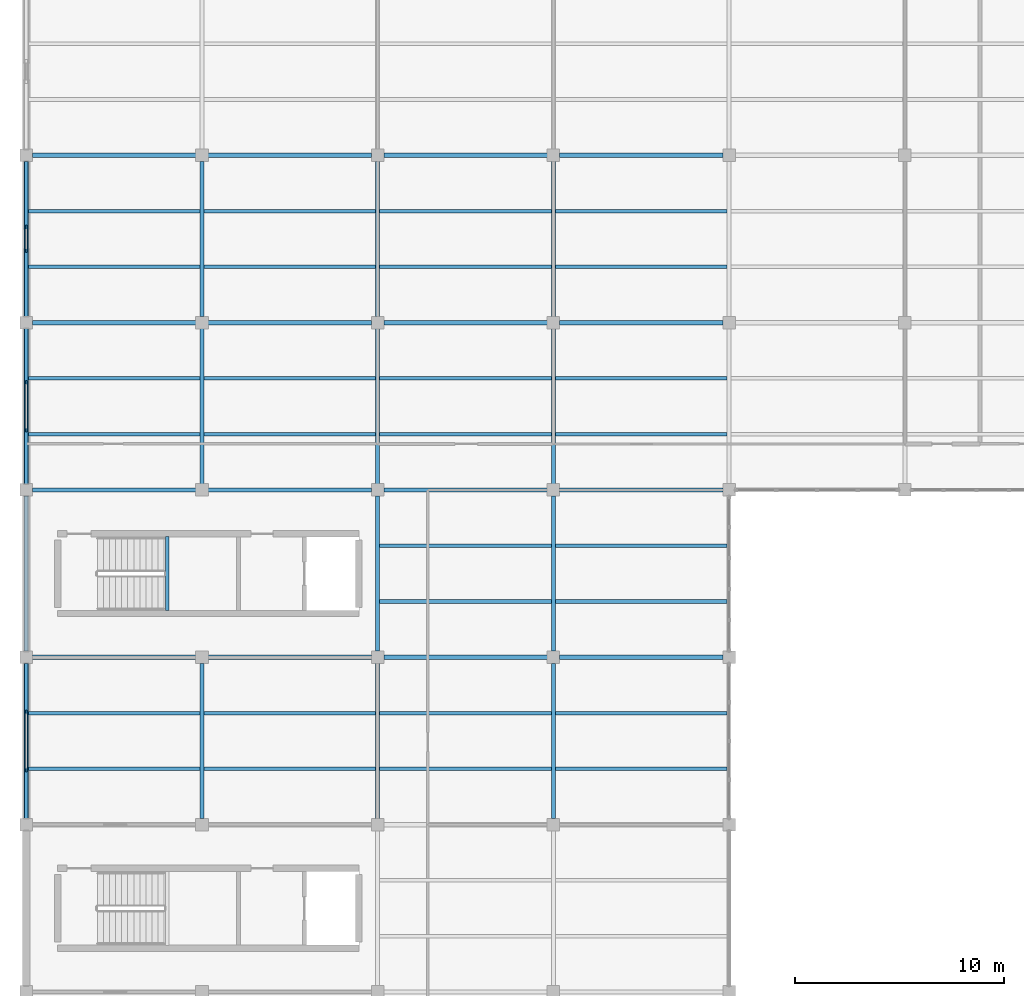
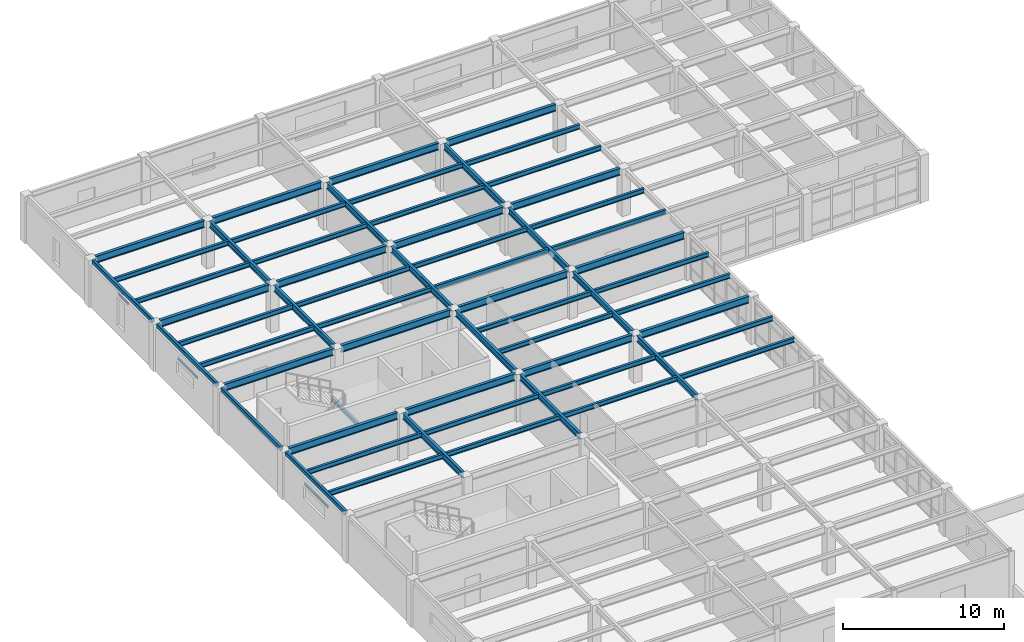
# One storey, part 22 of 96: 63 beams.
"""IFC4 building model written with IfcOpenShell, lengths in metres."""

from ifc_helpers import new_model, si_unit, direction, frame, origin, origin_2d, place, context, subcontext, project, spatial, hollow_rectangle, i_section, u_section, extrude, material, material_profile, profile_set, type_object, element, save


model = new_model("IFC4")

# Units and contexts
model_context = context("Model", 3, precision=1e-05, world=origin(), true_north=direction((0.0, 1.0)))
body_context = subcontext(model_context, "Body", "Model", "MODEL_VIEW")
ifc_project = project(units=[si_unit("LENGTHUNIT", "METRE"), si_unit("AREAUNIT", "SQUARE_METRE"), si_unit("VOLUMEUNIT", "CUBIC_METRE"), si_unit("PLANEANGLEUNIT", "RADIAN"), si_unit("MASSUNIT", "GRAM", prefix="KILO")], contexts=[model_context])

# Site, building, storey
site_placement = place(None, origin())
site = spatial("IfcSite", under=ifc_project, at=site_placement, CompositionType="ELEMENT")
building_placement = place(site_placement, origin())
building = spatial("IfcBuilding", under=site, at=building_placement, Name="Kranzveld Transit Interchange", CompositionType="ELEMENT")
storey_placement = place(building_placement, frame((0.0, 0.0, 9.52001953125)))
storey = spatial("IfcBuildingStorey", under=building, at=storey_placement, Name="L02", CompositionType="ELEMENT", Elevation=9.52001953125)

# Beams
ifc_material_1 = material(Name="Steel S355JR", Category="steel")
ifc_material_profile_1 = material_profile(ifc_material_1, i_section(OverallWidth=0.19189453125, OverallDepth=0.46337890625, WebThickness=0.010498046875, FlangeThickness=0.017578125, FilletRadius=0.01025390625, at=origin_2d()), Name="UB 457x191x89")
ifc_profile_set_1 = profile_set([ifc_material_profile_1], Name="Steel S355JR")
beam_type_1 = type_object("IfcBeamType", Name="Beam Steel UB 457x191x89 S355JR", PredefinedType="BEAM", material=ifc_profile_set_1)
for number, where, z_axis, x_axis, name in (
    (1, (8.39990234375, 72.2900390625, 3.33837890625), (0.0, 1.0, 0.0), (-1.0, 0.0, 0.0), "L02 Girder 02/K-L"),
    (2, (8.39990234375, 88.2900390625, 3.33837890625), (0.0, 1.0, 0.0), (-1.0, 0.0, 0.0), "L02 Girder 02/M-N"),
    (3, (8.39990234375, 96.2900390625, 3.33837890625), (0.0, 1.0, 0.0), (-1.0, 0.0, 0.0), "L02 Girder 02/N-P"),
    (4, (16.800048828125, 72.2900390625, 3.33837890625), (0.0, 1.0, 0.0), (-1.0, 0.0, 0.0), "L02 Girder 03/K-L"),
    (5, (16.800048828125, 80.2900390625, 3.33837890625), (0.0, 1.0, 0.0), (-1.0, 0.0, 0.0), "L02 Girder 03/L-M"),
    (6, (16.800048828125, 88.2900390625, 3.33837890625), (0.0, 1.0, 0.0), (-1.0, 0.0, 0.0), "L02 Girder 03/M-N"),
    (7, (16.800048828125, 96.2900390625, 3.33837890625), (0.0, 1.0, 0.0), (-1.0, 0.0, 0.0), "L02 Girder 03/N-P"),
    (8, (25.199951171875, 72.2900390625, 3.33837890625), (0.0, 1.0, 0.0), (-1.0, 0.0, 0.0), "L02 Girder 04/K-L"),
    (9, (25.199951171875, 80.2900390625, 3.33837890625), (0.0, 1.0, 0.0), (-1.0, 0.0, 0.0), "L02 Girder 04/L-M"),
    (10, (25.199951171875, 88.2900390625, 3.33837890625), (0.0, 1.0, 0.0), (-1.0, 0.0, 0.0), "L02 Girder 04/M-N"),
    (11, (25.199951171875, 96.2900390625, 3.33837890625), (0.0, 1.0, 0.0), (-1.0, 0.0, 0.0), "L02 Girder 04/N-P"),
):
    element("IfcBeam", number, at=place(storey_placement, frame(where, z_axis=z_axis, x_axis=x_axis)), inside=storey, type_object=beam_type_1, Name=name, PredefinedType="BEAM", context=body_context, shape_type="SweptSolid", body=[
        extrude(i_section(OverallWidth=0.19189453125, OverallDepth=0.46337890625, WebThickness=0.010498046875, FlangeThickness=0.017578125, FilletRadius=0.01025390625, at=origin_2d()), origin(), (0.0, 0.0, 1.0), 7.419921875),
    ])
ifc_material_2 = material(Name="Steel S355JR", Category="steel")
ifc_material_profile_2 = material_profile(ifc_material_2, hollow_rectangle(XDim=0.199951171875, YDim=0.300048828125, WallThickness=0.010009765625, InnerFilletRadius=0.014892578125, OuterFilletRadius=0.02490234375, at=origin_2d()), Name="RHS 300x200x10")
ifc_profile_set_2 = profile_set([ifc_material_profile_2], Name="Steel S355JR")
beam_type_2 = type_object("IfcBeamType", Name="Edge Spandrel RHS 300x200x10 S355JR", PredefinedType="SPANDREL", material=ifc_profile_set_2)
for number, where, z_axis, x_axis, name in (
    (12, (0.0, 72.2900390625, 3.419921875), (0.0, 1.0, 0.0), (-1.0, 0.0, 0.0), "L02 Girder 01/K-L"),
    (13, (0.0, 80.2900390625, 3.419921875), (0.0, 1.0, 0.0), (-1.0, 0.0, 0.0), "L02 Girder 01/L-M"),
    (14, (0.0, 88.2900390625, 3.419921875), (0.0, 1.0, 0.0), (-1.0, 0.0, 0.0), "L02 Girder 01/M-N"),
    (15, (0.0, 96.2900390625, 3.419921875), (0.0, 1.0, 0.0), (-1.0, 0.0, 0.0), "L02 Girder 01/N-P"),
):
    element("IfcBeam", number, at=place(storey_placement, frame(where, z_axis=z_axis, x_axis=x_axis)), inside=storey, type_object=beam_type_2, Name=name, PredefinedType="SPANDREL", context=body_context, shape_type="SweptSolid", body=[
        extrude(hollow_rectangle(XDim=0.199951171875, YDim=0.300048828125, WallThickness=0.010009765625, InnerFilletRadius=0.014892578125, OuterFilletRadius=0.02490234375, at=origin_2d()), origin(), (0.0, 0.0, 1.0), 7.419921875),
    ])
ifc_material_3 = material(Name="Steel S355JR", Category="steel")
ifc_material_profile_3 = material_profile(ifc_material_3, i_section(OverallWidth=0.171142578125, OverallDepth=0.351318359375, WebThickness=0.007080078125, FlangeThickness=0.009765625, FilletRadius=0.01025390625, at=origin_2d()), Name="UB 356x171x45")
ifc_profile_set_3 = profile_set([ifc_material_profile_3], Name="Steel S355JR")
beam_type_3 = type_object("IfcBeamType", Name="Floor Joist UB 356x171x45 S355JR", PredefinedType="JOIST", material=ifc_profile_set_3)
for number, where, z_axis, x_axis, name in (
    (16, (0.10205078125, 74.666748046875, 3.394287109375), (1.0, 0.0, 0.0), (0.0, 1.0, 0.0), "L02 Secondary Joist 01-02/K.1"),
    (17, (0.10205078125, 77.333251953125, 3.394287109375), (1.0, 0.0, 0.0), (0.0, 1.0, 0.0), "L02 Secondary Joist 01-02/K.2"),
    (18, (0.10205078125, 90.666748046875, 3.394287109375), (1.0, 0.0, 0.0), (0.0, 1.0, 0.0), "L02 Secondary Joist 01-02/M.1"),
    (19, (0.10205078125, 93.333251953125, 3.394287109375), (1.0, 0.0, 0.0), (0.0, 1.0, 0.0), "L02 Secondary Joist 01-02/M.2"),
    (20, (0.10205078125, 98.666748046875, 3.394287109375), (1.0, 0.0, 0.0), (0.0, 1.0, 0.0), "L02 Secondary Joist 01-02/N.1"),
    (21, (0.10205078125, 101.333251953125, 3.394287109375), (1.0, 0.0, 0.0), (0.0, 1.0, 0.0), "L02 Secondary Joist 01-02/N.2"),
):
    element("IfcBeam", number, at=place(storey_placement, frame(where, z_axis=z_axis, x_axis=x_axis)), inside=storey, type_object=beam_type_3, Name=name, PredefinedType="JOIST", context=body_context, shape_type="SweptSolid", body=[
        extrude(i_section(OverallWidth=0.171142578125, OverallDepth=0.351318359375, WebThickness=0.007080078125, FlangeThickness=0.009765625, FilletRadius=0.01025390625, at=origin_2d()), origin(), (0.0, 0.0, 1.0), 8.199951171875),
    ])
for number, where, z_axis, x_axis, name in (
    (22, (8.498046875, 74.666748046875, 3.394287109375), (1.0, 0.0, 0.0), (0.0, 1.0, 0.0), "L02 Secondary Joist 02-03/K.1"),
    (23, (8.498046875, 77.333251953125, 3.394287109375), (1.0, 0.0, 0.0), (0.0, 1.0, 0.0), "L02 Secondary Joist 02-03/K.2"),
    (24, (8.498046875, 90.666748046875, 3.394287109375), (1.0, 0.0, 0.0), (0.0, 1.0, 0.0), "L02 Secondary Joist 02-03/M.1"),
    (25, (8.498046875, 93.333251953125, 3.394287109375), (1.0, 0.0, 0.0), (0.0, 1.0, 0.0), "L02 Secondary Joist 02-03/M.2"),
    (26, (8.498046875, 98.666748046875, 3.394287109375), (1.0, 0.0, 0.0), (0.0, 1.0, 0.0), "L02 Secondary Joist 02-03/N.1"),
    (27, (8.498046875, 101.333251953125, 3.394287109375), (1.0, 0.0, 0.0), (0.0, 1.0, 0.0), "L02 Secondary Joist 02-03/N.2"),
    (28, (16.89794921875, 74.666748046875, 3.394287109375), (1.0, 0.0, 0.0), (0.0, 1.0, 0.0), "L02 Secondary Joist 03-04/K.1"),
    (29, (16.89794921875, 77.333251953125, 3.394287109375), (1.0, 0.0, 0.0), (0.0, 1.0, 0.0), "L02 Secondary Joist 03-04/K.2"),
    (30, (16.89794921875, 82.666748046875, 3.394287109375), (1.0, 0.0, 0.0), (0.0, 1.0, 0.0), "L02 Secondary Joist 03-04/L.1"),
    (31, (16.89794921875, 85.333251953125, 3.394287109375), (1.0, 0.0, 0.0), (0.0, 1.0, 0.0), "L02 Secondary Joist 03-04/L.2"),
    (32, (16.89794921875, 90.666748046875, 3.394287109375), (1.0, 0.0, 0.0), (0.0, 1.0, 0.0), "L02 Secondary Joist 03-04/M.1"),
    (33, (16.89794921875, 93.333251953125, 3.394287109375), (1.0, 0.0, 0.0), (0.0, 1.0, 0.0), "L02 Secondary Joist 03-04/M.2"),
    (34, (16.89794921875, 98.666748046875, 3.394287109375), (1.0, 0.0, 0.0), (0.0, 1.0, 0.0), "L02 Secondary Joist 03-04/N.1"),
    (35, (16.89794921875, 101.333251953125, 3.394287109375), (1.0, 0.0, 0.0), (0.0, 1.0, 0.0), "L02 Secondary Joist 03-04/N.2"),
):
    element("IfcBeam", number, at=place(storey_placement, frame(where, z_axis=z_axis, x_axis=x_axis)), inside=storey, type_object=beam_type_3, Name=name, PredefinedType="JOIST", context=body_context, shape_type="SweptSolid", body=[
        extrude(i_section(OverallWidth=0.171142578125, OverallDepth=0.351318359375, WebThickness=0.007080078125, FlangeThickness=0.009765625, FilletRadius=0.01025390625, at=origin_2d()), origin(), (0.0, 0.0, 1.0), 8.2041015625),
    ])
for number, where, z_axis, x_axis, name in (
    (36, (25.2978515625, 74.666748046875, 3.394287109375), (1.0, 0.0, 0.0), (0.0, 1.0, 0.0), "L02 Secondary Joist 04-05/K.1"),
    (37, (25.2978515625, 77.333251953125, 3.394287109375), (1.0, 0.0, 0.0), (0.0, 1.0, 0.0), "L02 Secondary Joist 04-05/K.2"),
    (38, (25.2978515625, 82.666748046875, 3.394287109375), (1.0, 0.0, 0.0), (0.0, 1.0, 0.0), "L02 Secondary Joist 04-05/L.1"),
    (39, (25.2978515625, 85.333251953125, 3.394287109375), (1.0, 0.0, 0.0), (0.0, 1.0, 0.0), "L02 Secondary Joist 04-05/L.2"),
):
    element("IfcBeam", number, at=place(storey_placement, frame(where, z_axis=z_axis, x_axis=x_axis)), inside=storey, type_object=beam_type_3, Name=name, PredefinedType="JOIST", context=body_context, shape_type="SweptSolid", body=[
        extrude(i_section(OverallWidth=0.171142578125, OverallDepth=0.351318359375, WebThickness=0.007080078125, FlangeThickness=0.009765625, FilletRadius=0.01025390625, at=origin_2d()), origin(), (0.0, 0.0, 1.0), 8.2001953125),
    ])
for number, where, z_axis, x_axis, name in (
    (40, (25.2978515625, 90.666748046875, 3.394287109375), (1.0, 0.0, 0.0), (0.0, 1.0, 0.0), "L02 Secondary Joist 04-05/M.1"),
    (41, (25.2978515625, 93.333251953125, 3.394287109375), (1.0, 0.0, 0.0), (0.0, 1.0, 0.0), "L02 Secondary Joist 04-05/M.2"),
    (42, (25.2978515625, 98.666748046875, 3.394287109375), (1.0, 0.0, 0.0), (0.0, 1.0, 0.0), "L02 Secondary Joist 04-05/N.1"),
    (43, (25.2978515625, 101.333251953125, 3.394287109375), (1.0, 0.0, 0.0), (0.0, 1.0, 0.0), "L02 Secondary Joist 04-05/N.2"),
):
    element("IfcBeam", number, at=place(storey_placement, frame(where, z_axis=z_axis, x_axis=x_axis)), inside=storey, type_object=beam_type_3, Name=name, PredefinedType="JOIST", context=body_context, shape_type="SweptSolid", body=[
        extrude(i_section(OverallWidth=0.171142578125, OverallDepth=0.351318359375, WebThickness=0.007080078125, FlangeThickness=0.009765625, FilletRadius=0.01025390625, at=origin_2d()), origin(), (0.0, 0.0, 1.0), 8.2041015625),
    ])
ifc_material_4 = material(Name="Steel S355JR", Category="steel")
ifc_material_profile_4 = material_profile(ifc_material_4, i_section(OverallWidth=0.209228515625, OverallDepth=0.533203125, WebThickness=0.010009765625, FlangeThickness=0.015625, FilletRadius=0.0126953125, at=origin_2d()), Name="UB 533x210x92")
ifc_profile_set_4 = profile_set([ifc_material_profile_4], Name="Steel S355JR")
beam_type_4 = type_object("IfcBeamType", Name="Girder Steel UB 533x210x92 S355JR", PredefinedType="BEAM", material=ifc_profile_set_4)
for number, where, z_axis, x_axis, name in (
    (44, (0.2900390625, 80.0, 3.303466796875), (1.0, 0.0, 0.0), (0.0, 1.0, 0.0), "L02 Girder 01-02/L"),
    (45, (8.68994140625, 80.0, 3.303466796875), (1.0, 0.0, 0.0), (0.0, 1.0, 0.0), "L02 Girder 02-03/L"),
):
    element("IfcBeam", number, at=place(storey_placement, frame(where, z_axis=z_axis, x_axis=x_axis)), inside=storey, type_object=beam_type_4, Name=name, PredefinedType="BEAM", context=body_context, shape_type="SweptSolid", body=[
        extrude(i_section(OverallWidth=0.209228515625, OverallDepth=0.533203125, WebThickness=0.010009765625, FlangeThickness=0.015625, FilletRadius=0.0126953125, at=origin_2d()), origin(), (0.0, 0.0, 1.0), 7.820068359375),
    ])
beam_1_placement = place(storey_placement, frame((17.090087890625, 80.0, 3.303466796875), z_axis=(1.0, 0.0, 0.0), x_axis=(0.0, 1.0, 0.0)))
element("IfcBeam", 46, at=beam_1_placement, inside=storey, type_object=beam_type_4, Name="L02 Girder 03-04/L", PredefinedType="BEAM", context=body_context, shape_type="SweptSolid", body=[
    extrude(i_section(OverallWidth=0.209228515625, OverallDepth=0.533203125, WebThickness=0.010009765625, FlangeThickness=0.015625, FilletRadius=0.0126953125, at=origin_2d()), origin(), (0.0, 0.0, 1.0), 7.81982421875),
])
for number, where, z_axis, x_axis, name in (
    (47, (25.489990234375, 80.0, 3.303466796875), (1.0, 0.0, 0.0), (0.0, 1.0, 0.0), "L02 Girder 04-05/L"),
    (48, (0.2900390625, 88.0, 3.303466796875), (1.0, 0.0, 0.0), (0.0, 1.0, 0.0), "L02 Girder 01-02/M"),
    (49, (8.68994140625, 88.0, 3.303466796875), (1.0, 0.0, 0.0), (0.0, 1.0, 0.0), "L02 Girder 02-03/M"),
):
    element("IfcBeam", number, at=place(storey_placement, frame(where, z_axis=z_axis, x_axis=x_axis)), inside=storey, type_object=beam_type_4, Name=name, PredefinedType="BEAM", context=body_context, shape_type="SweptSolid", body=[
        extrude(i_section(OverallWidth=0.209228515625, OverallDepth=0.533203125, WebThickness=0.010009765625, FlangeThickness=0.015625, FilletRadius=0.0126953125, at=origin_2d()), origin(), (0.0, 0.0, 1.0), 7.820068359375),
    ])
beam_2_placement = place(storey_placement, frame((17.090087890625, 88.0, 3.303466796875), z_axis=(1.0, 0.0, 0.0), x_axis=(0.0, 1.0, 0.0)))
element("IfcBeam", 50, at=beam_2_placement, inside=storey, type_object=beam_type_4, Name="L02 Girder 03-04/M", PredefinedType="BEAM", context=body_context, shape_type="SweptSolid", body=[
    extrude(i_section(OverallWidth=0.209228515625, OverallDepth=0.533203125, WebThickness=0.010009765625, FlangeThickness=0.015625, FilletRadius=0.0126953125, at=origin_2d()), origin(), (0.0, 0.0, 1.0), 7.81982421875),
])
for number, where, z_axis, x_axis, name in (
    (51, (25.489990234375, 88.0, 3.303466796875), (1.0, 0.0, 0.0), (0.0, 1.0, 0.0), "L02 Girder 04-05/M"),
    (52, (0.2900390625, 96.0, 3.303466796875), (1.0, 0.0, 0.0), (0.0, 1.0, 0.0), "L02 Girder 01-02/N"),
    (53, (8.68994140625, 96.0, 3.303466796875), (1.0, 0.0, 0.0), (0.0, 1.0, 0.0), "L02 Girder 02-03/N"),
):
    element("IfcBeam", number, at=place(storey_placement, frame(where, z_axis=z_axis, x_axis=x_axis)), inside=storey, type_object=beam_type_4, Name=name, PredefinedType="BEAM", context=body_context, shape_type="SweptSolid", body=[
        extrude(i_section(OverallWidth=0.209228515625, OverallDepth=0.533203125, WebThickness=0.010009765625, FlangeThickness=0.015625, FilletRadius=0.0126953125, at=origin_2d()), origin(), (0.0, 0.0, 1.0), 7.820068359375),
    ])
beam_3_placement = place(storey_placement, frame((17.090087890625, 96.0, 3.303466796875), z_axis=(1.0, 0.0, 0.0), x_axis=(0.0, 1.0, 0.0)))
element("IfcBeam", 54, at=beam_3_placement, inside=storey, type_object=beam_type_4, Name="L02 Girder 03-04/N", PredefinedType="BEAM", context=body_context, shape_type="SweptSolid", body=[
    extrude(i_section(OverallWidth=0.209228515625, OverallDepth=0.533203125, WebThickness=0.010009765625, FlangeThickness=0.015625, FilletRadius=0.0126953125, at=origin_2d()), origin(), (0.0, 0.0, 1.0), 7.81982421875),
])
for number, where, z_axis, x_axis, name in (
    (55, (25.489990234375, 96.0, 3.303466796875), (1.0, 0.0, 0.0), (0.0, 1.0, 0.0), "L02 Girder 04-05/N"),
    (56, (0.2900390625, 104.0, 3.303466796875), (1.0, 0.0, 0.0), (0.0, 1.0, 0.0), "L02 Girder 01-02/P"),
    (57, (8.68994140625, 104.0, 3.303466796875), (1.0, 0.0, 0.0), (0.0, 1.0, 0.0), "L02 Girder 02-03/P"),
):
    element("IfcBeam", number, at=place(storey_placement, frame(where, z_axis=z_axis, x_axis=x_axis)), inside=storey, type_object=beam_type_4, Name=name, PredefinedType="BEAM", context=body_context, shape_type="SweptSolid", body=[
        extrude(i_section(OverallWidth=0.209228515625, OverallDepth=0.533203125, WebThickness=0.010009765625, FlangeThickness=0.015625, FilletRadius=0.0126953125, at=origin_2d()), origin(), (0.0, 0.0, 1.0), 7.820068359375),
    ])
beam_4_placement = place(storey_placement, frame((17.090087890625, 104.0, 3.303466796875), z_axis=(1.0, 0.0, 0.0), x_axis=(0.0, 1.0, 0.0)))
element("IfcBeam", 58, at=beam_4_placement, inside=storey, type_object=beam_type_4, Name="L02 Girder 03-04/P", PredefinedType="BEAM", context=body_context, shape_type="SweptSolid", body=[
    extrude(i_section(OverallWidth=0.209228515625, OverallDepth=0.533203125, WebThickness=0.010009765625, FlangeThickness=0.015625, FilletRadius=0.0126953125, at=origin_2d()), origin(), (0.0, 0.0, 1.0), 7.81982421875),
])
beam_5_placement = place(storey_placement, frame((25.489990234375, 104.0, 3.303466796875), z_axis=(1.0, 0.0, 0.0), x_axis=(0.0, 1.0, 0.0)))
element("IfcBeam", 59, at=beam_5_placement, inside=storey, type_object=beam_type_4, Name="L02 Girder 04-05/P", PredefinedType="BEAM", context=body_context, shape_type="SweptSolid", body=[
    extrude(i_section(OverallWidth=0.209228515625, OverallDepth=0.533203125, WebThickness=0.010009765625, FlangeThickness=0.015625, FilletRadius=0.0126953125, at=origin_2d()), origin(), (0.0, 0.0, 1.0), 7.820068359375),
])
ifc_material_5 = material(Name="Steel S355JR", Category="steel")
ifc_material_profile_5 = material_profile(ifc_material_5, u_section(Depth=0.179931640625, FlangeWidth=0.070068359375, WebThickness=0.007080078125, FlangeThickness=0.010986328125, FilletRadius=0.010009765625, at=origin_2d()), Name="PFC 180x70x22")
ifc_profile_set_5 = profile_set([ifc_material_profile_5], Name="Steel S355JR")
beam_type_5 = type_object("IfcBeamType", Name="Masonry Lintel PFC 180x70x22 S355JR", PredefinedType="LINTEL", material=ifc_profile_set_5)
beam_6_placement = place(storey_placement, frame((0.0, 99.344970703125, 2.844970703125), z_axis=(0.0, 1.0, 0.0), x_axis=(-1.0, 0.0, 0.0)))
element("IfcBeam", 60, at=beam_6_placement, inside=storey, type_object=beam_type_5, Name="L02 Window Lintel 157", PredefinedType="LINTEL", context=body_context, shape_type="SweptSolid", body=[
    extrude(u_section(Depth=0.179931640625, FlangeWidth=0.070068359375, WebThickness=0.007080078125, FlangeThickness=0.010986328125, FilletRadius=0.010009765625, at=origin_2d()), origin(), (0.0, 0.0, 1.0), 1.31005859375),
])
ifc_material_6 = material(Name="Steel S355JR", Category="steel")
ifc_material_profile_6 = material_profile(ifc_material_6, u_section(Depth=0.199951171875, FlangeWidth=0.074951171875, WebThickness=0.006103515625, FlangeThickness=0.012451171875, FilletRadius=0.011962890625, at=origin_2d()), Name="PFC 200x75x23")
ifc_profile_set_6 = profile_set([ifc_material_profile_6], Name="Steel S355JR")
beam_type_6 = type_object("IfcBeamType", Name="Masonry Lintel PFC 200x75x23 S355JR", PredefinedType="LINTEL", material=ifc_profile_set_6)
beam_7_placement = place(storey_placement, frame((0.0, 90.77001953125, 2.455078125), z_axis=(0.0, 1.0, 0.0), x_axis=(-1.0, 0.0, 0.0)))
element("IfcBeam", 61, at=beam_7_placement, inside=storey, type_object=beam_type_6, Name="L02 Window Lintel 156", PredefinedType="LINTEL", context=body_context, shape_type="SweptSolid", body=[
    extrude(u_section(Depth=0.199951171875, FlangeWidth=0.074951171875, WebThickness=0.006103515625, FlangeThickness=0.012451171875, FilletRadius=0.011962890625, at=origin_2d()), origin(), (0.0, 0.0, 1.0), 2.4599609375),
])
ifc_material_7 = material(Name="Steel S355JR", Category="steel")
ifc_material_profile_7 = material_profile(ifc_material_7, i_section(OverallWidth=0.091064453125, OverallDepth=0.179931640625, WebThickness=0.00537109375, FlangeThickness=0.008056640625, FilletRadius=0.009033203125, at=origin_2d()), Name="IPE 180")
ifc_profile_set_7 = profile_set([ifc_material_profile_7], Name="Steel S355JR")
beam_type_7 = type_object("IfcBeamType", Name="Opening Lintel IPE 180 S355JR", PredefinedType="LINTEL", material=ifc_profile_set_7)
beam_8_placement = place(storey_placement, frame((0.0, 74.52001953125, 2.494873046875), z_axis=(0.0, 1.0, 0.0), x_axis=(-1.0, 0.0, 0.0)))
element("IfcBeam", 62, at=beam_8_placement, inside=storey, type_object=beam_type_7, Name="L02 Window Lintel 155", PredefinedType="LINTEL", context=body_context, shape_type="SweptSolid", body=[
    extrude(i_section(OverallWidth=0.091064453125, OverallDepth=0.179931640625, WebThickness=0.00537109375, FlangeThickness=0.008056640625, FilletRadius=0.009033203125, at=origin_2d()), origin(), (0.0, 0.0, 1.0), 2.9599609375),
])
ifc_material_8 = material(Name="Steel S355JR", Category="steel")
ifc_material_profile_8 = material_profile(ifc_material_8, i_section(OverallWidth=0.165771484375, OverallDepth=0.306640625, WebThickness=0.006591796875, FlangeThickness=0.01171875, FilletRadius=0.0087890625, at=origin_2d()), Name="UB 305x165x46")
ifc_profile_set_8 = profile_set([ifc_material_profile_8], Name="Steel S355JR")
beam_type_8 = type_object("IfcBeamType", Name="Roof Joist UB 305x165x46 S355JR", PredefinedType="JOIST", material=ifc_profile_set_8)
beam_9_placement = place(storey_placement, frame((6.75, 82.22998046875, 1.566650390625), z_axis=(0.0, 1.0, 0.0), x_axis=(-1.0, 0.0, 0.0)))
element("IfcBeam", 63, at=beam_9_placement, inside=storey, type_object=beam_type_8, Name="L02 ST-C2 Half-Landing Support Beam", PredefinedType="BEAM", context=body_context, shape_type="SweptSolid", body=[
    extrude(i_section(OverallWidth=0.165771484375, OverallDepth=0.306640625, WebThickness=0.006591796875, FlangeThickness=0.01171875, FilletRadius=0.0087890625, at=origin_2d()), origin(), (0.0, 0.0, 1.0), 3.5400390625),
])

save(model, "model.ifc")
